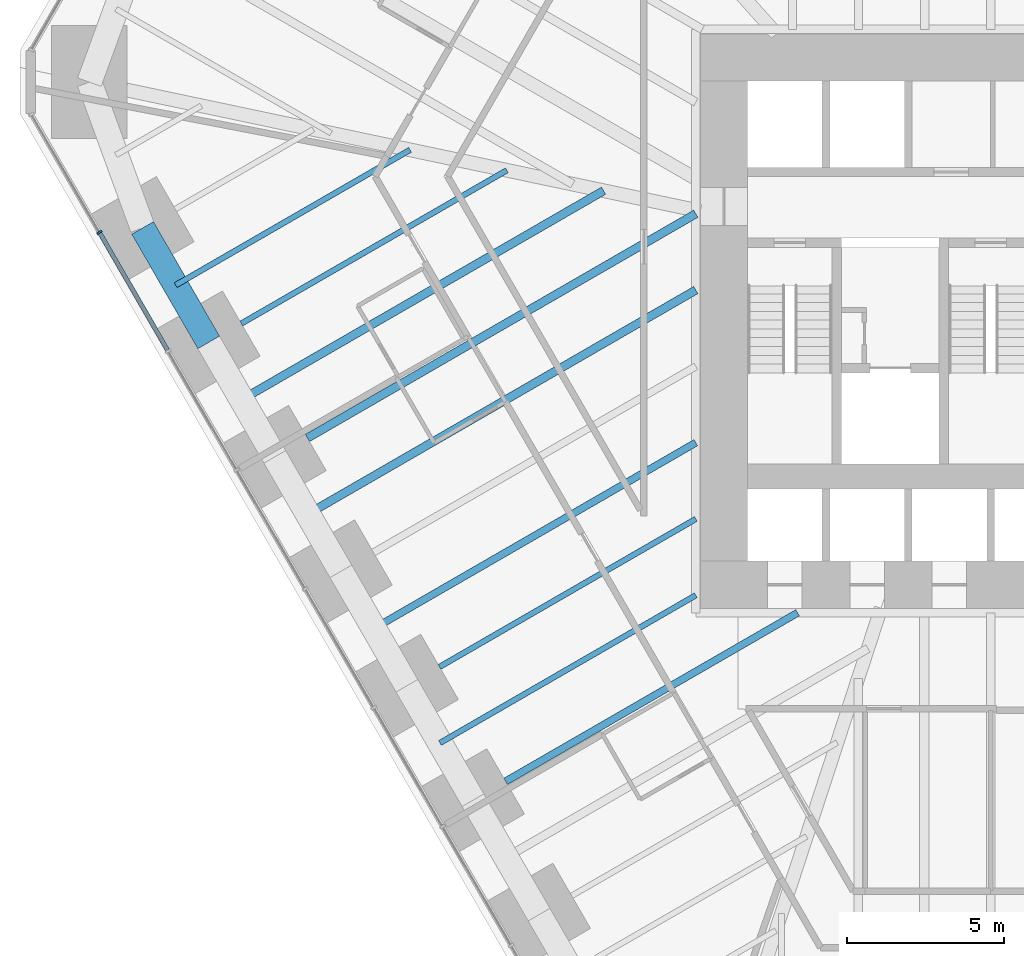
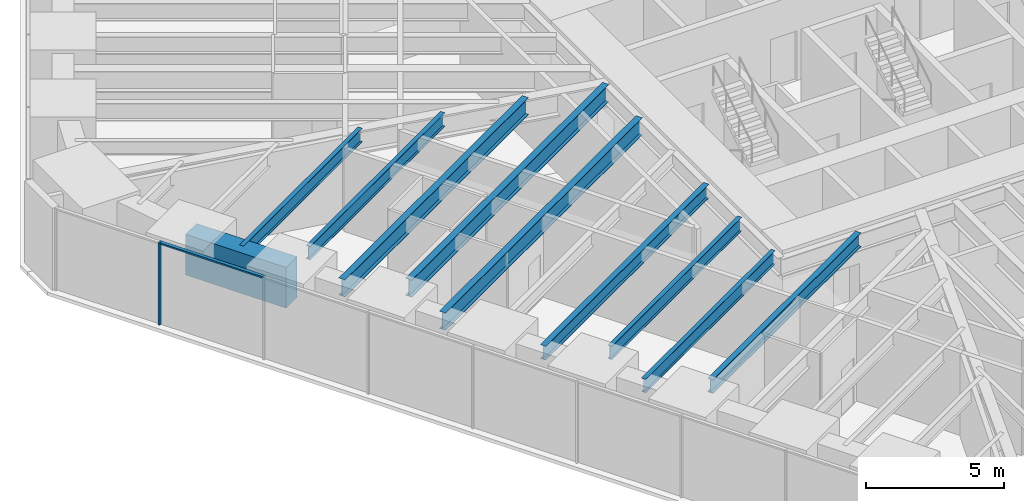
# One storey, part 3 of 17: 10 beams, 2 members, 1 element without a shape of its own.
"""IFC4 building model written with IfcOpenShell, lengths in metres."""

from ifc_helpers import new_model, si_unit, direction, frame, origin, origin_2d, place, context, subcontext, project, spatial, rectangle, i_section, extrude, material, material_profile, profile_set, type_object, element, aggregate, save


model = new_model("IFC4")

# Units and contexts
model_context = context("Model", 3, precision=1e-05, world=origin(), true_north=direction((0.0, 1.0)))
body_context = subcontext(model_context, "Body", "Model", "MODEL_VIEW")
ifc_project = project(units=[si_unit("LENGTHUNIT", "METRE"), si_unit("AREAUNIT", "SQUARE_METRE"), si_unit("VOLUMEUNIT", "CUBIC_METRE"), si_unit("PLANEANGLEUNIT", "RADIAN"), si_unit("MASSUNIT", "GRAM", prefix="KILO")], contexts=[model_context])

# Site, building, storey
site_placement = place(None, origin())
site = spatial("IfcSite", under=ifc_project, at=site_placement, CompositionType="ELEMENT")
building_placement = place(site_placement, origin())
building = spatial("IfcBuilding", under=site, at=building_placement, Name="Sandreach Pilgrim Tower", CompositionType="ELEMENT")
storey_placement = place(building_placement, frame((0.0, 0.0, 42.0)))
storey = spatial("IfcBuildingStorey", under=building, at=storey_placement, Name="L09", CompositionType="ELEMENT", Elevation=42.0)

# Curtain wall, members
ifc_material_1 = material(Name="Aluminium framed curtain wall", Category="aluminium")
curtain_wall_type = type_object("IfcCurtainWallType", Name="Hostel tower curtain wall", PredefinedType="NOTDEFINED", material=ifc_material_1)
curtain_wall_placement = place(storey_placement, origin())
curtain_wall = element("IfcCurtainWall", 1, at=curtain_wall_placement, inside=storey, type_object=curtain_wall_type, Name="CW-1 L09 SW", PredefinedType="NOTDEFINED")
ifc_material_2 = material(Name="Aluminium extrusion", Category="aluminium")
ifc_material_profile_1 = material_profile(ifc_material_2, rectangle(XDim=0.06494140625, YDim=0.179931640625, at=origin_2d()), Name="CW-1M 65X180")
ifc_profile_set_1 = profile_set([ifc_material_profile_1], Name="Aluminium extrusion")
member_type_1 = type_object("IfcMemberType", Name="CW-1 mullion", PredefinedType="MULLION", material=ifc_profile_set_1)
member_1_placement = place(storey_placement, frame((-28.390380859375, 1.2763671875, 0.0), z_axis=(0.0, 0.0, 1.0), x_axis=(-0.5, 0.866025403784, 0.0)))
member_1 = element("IfcMember", 2, at=member_1_placement, type_object=member_type_1, Name="CW-1 mullion 9", PredefinedType="MULLION", context=body_context, shape_type="SweptSolid", body=[
    extrude(rectangle(XDim=0.06494140625, YDim=0.179931640625, at=origin_2d()), origin(), (0.0, 0.0, 1.0), 3.639892578125),
])
ifc_material_3 = material(Name="Aluminium extrusion", Category="aluminium")
ifc_material_profile_2 = material_profile(ifc_material_3, rectangle(XDim=0.139892578125, YDim=0.070068359375, at=origin_2d()), Name="CW-1T 140X70")
ifc_profile_set_2 = profile_set([ifc_material_profile_2], Name="Aluminium extrusion")
member_type_2 = type_object("IfcMemberType", Name="CW-1 transom", PredefinedType="USERDEFINED", material=ifc_profile_set_2)
member_2_placement = place(storey_placement, frame((-26.220947265625, -2.4814453125, 3.60498046875), z_axis=(-0.500016891966, 0.866015650984, 0.0), x_axis=(-0.866015650984, -0.500016891966, 0.0)))
member_2 = element("IfcMember", 3, at=member_2_placement, type_object=member_type_2, Name="CW-1 head transom 8", ObjectType="TRANSOM", PredefinedType="USERDEFINED", context=body_context, shape_type="SweptSolid", body=[
    extrude(rectangle(XDim=0.139892578125, YDim=0.070068359375, at=origin_2d()), origin(), (0.0, 0.0, 1.0), 4.306396484375),
])
aggregate(curtain_wall, [member_1, member_2])

# Beams
ifc_material_4 = material(Name="Steel ASTM A992 Grade 50", Category="steel")
ifc_material_profile_3 = material_profile(ifc_material_4, i_section(OverallWidth=0.1787109375, OverallDepth=0.60205078125, WebThickness=0.010986328125, FlangeThickness=0.014892578125, at=origin_2d()), Name="W24X62")
ifc_profile_set_3 = profile_set([ifc_material_profile_3], Name="Steel ASTM A992 Grade 50")
beam_type_1 = type_object("IfcBeamType", Name="Floor beam W24X62", PredefinedType="BEAM", material=ifc_profile_set_3)
beam_1_placement = place(storey_placement, frame((-17.557373046875, -12.5673828125, 3.339111328125), z_axis=(0.866020839647, 0.500007905235, 0.0), x_axis=(-0.500007905235, 0.866020839647, 0.0)))
element("IfcBeam", 4, at=beam_1_placement, inside=storey, type_object=beam_type_1, Name="BM L09 F30", PredefinedType="BEAM", context=body_context, shape_type="SweptSolid", body=[
    extrude(i_section(OverallWidth=0.1787109375, OverallDepth=0.60205078125, WebThickness=0.010986328125, FlangeThickness=0.014892578125, at=origin_2d()), origin(), (0.0, 0.0, 1.0), 9.427001953125),
])
beam_2_placement = place(storey_placement, frame((-23.8720703125, -1.629638671875, 3.339111328125), z_axis=(0.866025751498, 0.499999397742, 0.0), x_axis=(-0.499999397742, 0.866025751498, 0.0)))
element("IfcBeam", 5, at=beam_2_placement, inside=storey, type_object=beam_type_1, Name="BM L09 F33", PredefinedType="BEAM", context=body_context, shape_type="SweptSolid", body=[
    extrude(i_section(OverallWidth=0.1787109375, OverallDepth=0.60205078125, WebThickness=0.010986328125, FlangeThickness=0.014892578125, at=origin_2d()), origin(), (0.0, 0.0, 1.0), 9.767578125),
])
beam_3_placement = place(storey_placement, frame((-17.5439453125, -14.990234375, 3.339111328125), z_axis=(0.86602359238, 0.500003137431, 0.0), x_axis=(-0.500003137431, 0.86602359238, 0.0)))
element("IfcBeam", 6, at=beam_3_placement, inside=storey, type_object=beam_type_1, Name="BM L09 FM29", PredefinedType="BEAM", context=body_context, shape_type="SweptSolid", body=[
    extrude(i_section(OverallWidth=0.1787109375, OverallDepth=0.60205078125, WebThickness=0.010986328125, FlangeThickness=0.014892578125, at=origin_2d()), origin(), (0.0, 0.0, 1.0), 9.41162109375),
])
beam_4_placement = place(storey_placement, frame((-25.9638671875, -0.40673828125, 3.339111328125), z_axis=(0.866020100198, 0.500009185969, 0.0), x_axis=(-0.500009185969, 0.866020100198, 0.0)))
element("IfcBeam", 7, at=beam_4_placement, inside=storey, type_object=beam_type_1, Name="BM L09 FM33", PredefinedType="BEAM", context=body_context, shape_type="SweptSolid", body=[
    extrude(i_section(OverallWidth=0.1787109375, OverallDepth=0.60205078125, WebThickness=0.010986328125, FlangeThickness=0.014892578125, at=origin_2d()), origin(), (0.0, 0.0, 1.0), 8.623291015625),
])
ifc_material_5 = material(Name="Steel ASTM A992 Grade 50", Category="steel")
ifc_material_profile_4 = material_profile(ifc_material_5, i_section(OverallWidth=0.23046875, OverallDepth=0.6171875, WebThickness=0.01318359375, FlangeThickness=0.022216796875, at=origin_2d()), Name="W24X94")
ifc_profile_set_4 = profile_set([ifc_material_profile_4], Name="Steel ASTM A992 Grade 50")
beam_type_2 = type_object("IfcBeamType", Name="Floor beam W24X94", PredefinedType="BEAM", material=ifc_profile_set_4)
beam_5_placement = place(storey_placement, frame((-15.452392578125, -16.213134765625, 3.331298828125), z_axis=(0.866028486751, 0.499994660107, 0.0), x_axis=(-0.499994660107, 0.866028486751, 0.0)))
element("IfcBeam", 8, at=beam_5_placement, inside=storey, type_object=beam_type_2, Name="BM L09 F29", PredefinedType="BEAM", context=body_context, shape_type="SweptSolid", body=[
    extrude(i_section(OverallWidth=0.23046875, OverallDepth=0.6171875, WebThickness=0.01318359375, FlangeThickness=0.022216796875, at=origin_2d()), origin(), (0.0, 0.0, 1.0), 10.73974609375),
])
beam_6_placement = place(storey_placement, frame((-19.64892578125, -11.34423828125, 3.331298828125), z_axis=(0.866032123691, 0.4999883606, 0.0), x_axis=(-0.4999883606, 0.866032123691, 0.0)))
element("IfcBeam", 9, at=beam_6_placement, inside=storey, type_object=beam_type_2, Name="BM L09 FM30", PredefinedType="BEAM", context=body_context, shape_type="SweptSolid", body=[
    extrude(i_section(OverallWidth=0.23046875, OverallDepth=0.6171875, WebThickness=0.01318359375, FlangeThickness=0.022216796875, at=origin_2d()), origin(), (0.0, 0.0, 1.0), 11.842041015625),
])
ifc_material_6 = material(Name="Steel ASTM A992 Grade 50", Category="steel")
ifc_material_profile_5 = material_profile(ifc_material_6, i_section(OverallWidth=0.2666015625, OverallDepth=0.761962890625, WebThickness=0.014404296875, FlangeThickness=0.021484375, at=origin_2d()), Name="W30X116")
ifc_profile_set_5 = profile_set([ifc_material_profile_5], Name="Steel ASTM A992 Grade 50")
beam_type_3 = type_object("IfcBeamType", Name="Floor beam W30X116", PredefinedType="BEAM", material=ifc_profile_set_5)
beam_7_placement = place(storey_placement, frame((-21.76708984375, -5.275390625, 3.259033203125), z_axis=(0.866024247282, 0.500002003116, 0.0), x_axis=(-0.500002003116, 0.866024247282, 0.0)))
element("IfcBeam", 10, at=beam_7_placement, inside=storey, type_object=beam_type_3, Name="BM L09 F32", PredefinedType="BEAM", context=body_context, shape_type="SweptSolid", body=[
    extrude(i_section(OverallWidth=0.2666015625, OverallDepth=0.761962890625, WebThickness=0.014404296875, FlangeThickness=0.021484375, at=origin_2d()), origin(), (0.0, 0.0, 1.0), 14.2880859375),
])
beam_8_placement = place(storey_placement, frame((-21.75390625, -7.698486328125, 3.259033203125), z_axis=(0.866022935671, 0.500004274874, 0.0), x_axis=(-0.500004274874, 0.866022935671, 0.0)))
element("IfcBeam", 11, at=beam_8_placement, inside=storey, type_object=beam_type_3, Name="BM L09 FM31", PredefinedType="BEAM", context=body_context, shape_type="SweptSolid", body=[
    extrude(i_section(OverallWidth=0.2666015625, OverallDepth=0.761962890625, WebThickness=0.014404296875, FlangeThickness=0.021484375, at=origin_2d()), origin(), (0.0, 0.0, 1.0), 14.27294921875),
])
beam_9_placement = place(storey_placement, frame((-23.85888671875, -4.052490234375, 3.259033203125), z_axis=(0.866029213426, 0.499993401449, 0.0), x_axis=(-0.499993401449, 0.866029213426, 0.0)))
element("IfcBeam", 12, at=beam_9_placement, inside=storey, type_object=beam_type_3, Name="BM L09 FM32", PredefinedType="BEAM", context=body_context, shape_type="SweptSolid", body=[
    extrude(i_section(OverallWidth=0.2666015625, OverallDepth=0.761962890625, WebThickness=0.014404296875, FlangeThickness=0.021484375, at=origin_2d()), origin(), (0.0, 0.0, 1.0), 13.311767578125),
])
ifc_material_7 = material(Name="Concrete 10000 psi", Category="concrete")
ifc_material_profile_6 = material_profile(ifc_material_7, rectangle(XDim=0.800048828125, YDim=1.800048828125, at=origin_2d()), Name="RC800X1800")
ifc_profile_set_6 = profile_set([ifc_material_profile_6], Name="Concrete 10000 psi")
beam_type_4 = type_object("IfcBeamType", Name="Spandrel beam RC800X1800", PredefinedType="SPANDREL", material=ifc_profile_set_6)
beam_10_placement = place(storey_placement, frame((-24.911376953125, -2.229736328125, 2.739990234375), z_axis=(-0.499993523031, 0.866029143232, 0.0), x_axis=(-0.866029143232, -0.499993523031, 0.0)))
element("IfcBeam", 13, at=beam_10_placement, inside=storey, type_object=beam_type_4, Name="BM L09 SP33", PredefinedType="SPANDREL", context=body_context, shape_type="SweptSolid", body=[
    extrude(rectangle(XDim=0.800048828125, YDim=1.800048828125, at=origin_2d()), origin(), (0.0, 0.0, 1.0), 4.2099609375),
])

save(model, "model.ifc")
